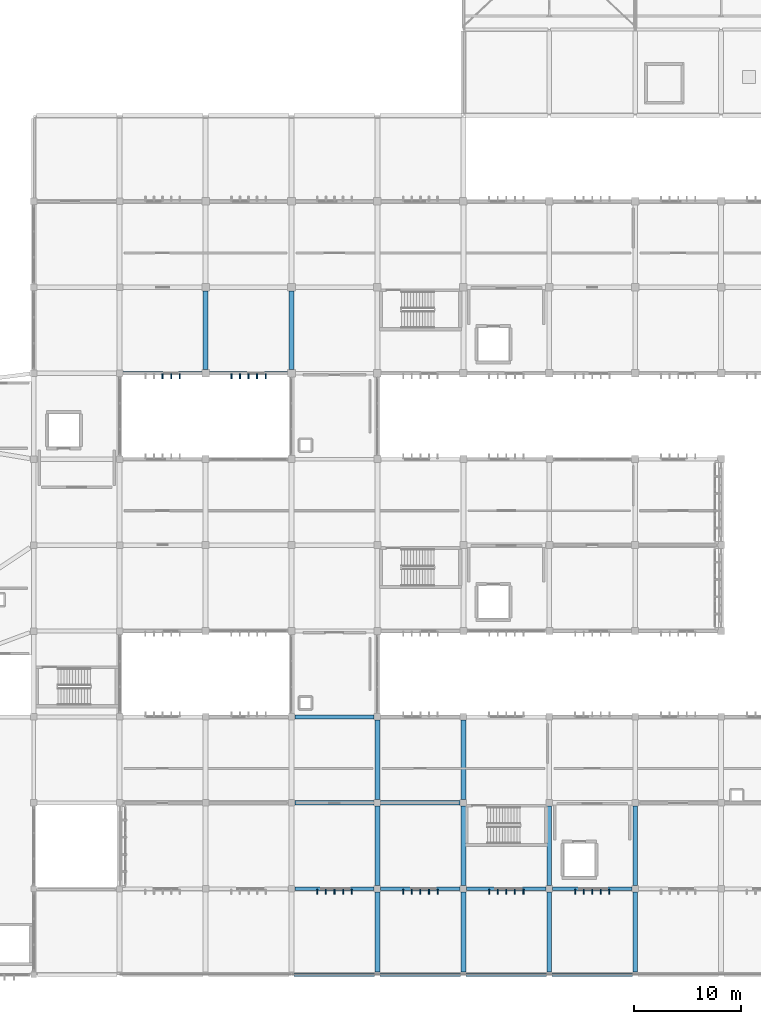
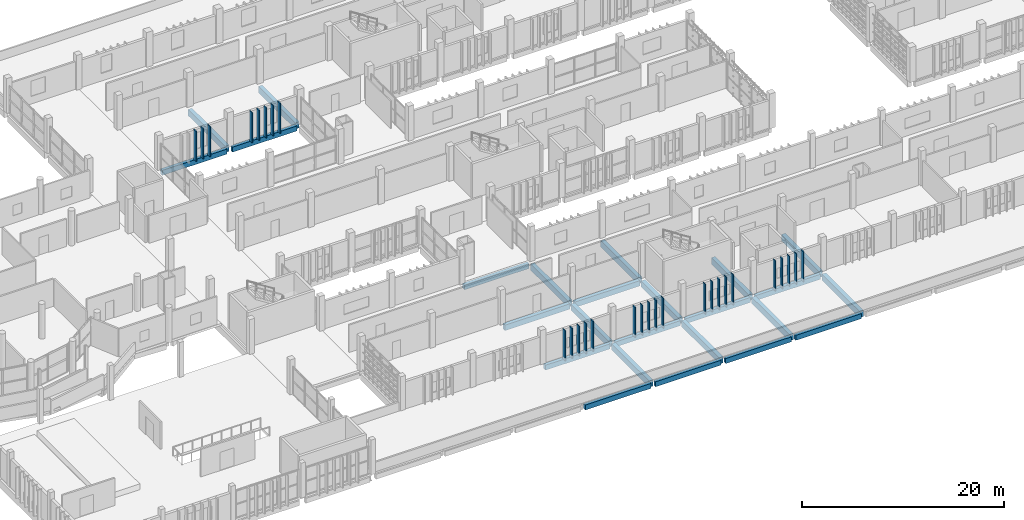
# One storey, part 22 of 137: 28 members, 25 beams.
"""IFC4 building model written with IfcOpenShell, lengths in metres."""

from ifc_helpers import new_model, si_unit, direction, frame, origin, origin_2d, place, context, subcontext, project, spatial, rectangle, extrude, material, material_profile, profile_set, type_object, element, save


model = new_model("IFC4")

# Units and contexts
model_context = context("Model", 3, precision=1e-05, world=origin(), true_north=direction((0.0, 1.0)))
body_context = subcontext(model_context, "Body", "Model", "MODEL_VIEW")
ifc_project = project(units=[si_unit("LENGTHUNIT", "METRE"), si_unit("AREAUNIT", "SQUARE_METRE"), si_unit("VOLUMEUNIT", "CUBIC_METRE"), si_unit("PLANEANGLEUNIT", "RADIAN"), si_unit("MASSUNIT", "GRAM", prefix="KILO")], contexts=[model_context])

# Site, building, storey
site_placement = place(None, origin())
site = spatial("IfcSite", under=ifc_project, at=site_placement, CompositionType="ELEMENT")
building_placement = place(site_placement, origin())
building = spatial("IfcBuilding", under=site, at=building_placement, Name="Jelvoka-Kovrelna Polytechnic", CompositionType="ELEMENT")
storey_placement = place(building_placement, frame((0.0, 0.0, 9.60009765625)))
storey = spatial("IfcBuildingStorey", under=building, at=storey_placement, Name="L03", CompositionType="ELEMENT", Elevation=9.60009765625)

# Beams
ifc_material_1 = material(Name="Concrete C40/50", Category="concrete")
ifc_material_profile_1 = material_profile(ifc_material_1, rectangle(XDim=0.39990234375, YDim=0.64990234375, at=origin_2d()), Name="RC 400x650")
ifc_profile_set_1 = profile_set([ifc_material_profile_1], Name="Concrete C40/50")
beam_type_1 = type_object("IfcBeamType", Name="Beam_RC_400x650", PredefinedType="BEAM", material=ifc_profile_set_1)
for number, where, z_axis, x_axis, name in (
    (1, (72.304931640625, 16.0, -0.590087890625), (1.0, 0.0, 0.0), (0.0, 1.0, 0.0), "L03 beam 0872"),
    (2, (80.304931640625, 16.0, -0.590087890625), (1.0, 0.0, 0.0), (0.0, 1.0, 0.0), "L03 beam 0873"),
):
    element("IfcBeam", number, at=place(storey_placement, frame(where, z_axis=z_axis, x_axis=x_axis)), inside=storey, type_object=beam_type_1, Name=name, PredefinedType="BEAM", context=body_context, shape_type="SweptSolid", body=[
        extrude(rectangle(XDim=0.39990234375, YDim=0.64990234375, at=origin_2d()), origin(), (0.0, 0.0, 1.0), 7.39013671875),
    ])
ifc_material_2 = material(Name="Concrete C40/50", Category="concrete")
ifc_material_profile_2 = material_profile(ifc_material_2, rectangle(XDim=0.449951171875, YDim=0.75, at=origin_2d()), Name="RC 450x750")
ifc_profile_set_2 = profile_set([ifc_material_profile_2], Name="Concrete C40/50")
beam_type_2 = type_object("IfcBeamType", Name="Beam_RC_450x750", PredefinedType="BEAM", material=ifc_profile_set_2)
for number, where, z_axis, x_axis, name in (
    (3, (80.0, 8.304931640625, -0.64013671875), (0.0, 1.0, 0.0), (-1.0, 0.0, 0.0), "L03 beam 0889"),
    (4, (80.0, 16.304931640625, -0.64013671875), (0.0, 1.0, 0.0), (-1.0, 0.0, 0.0), "L03 beam 0890"),
    (5, (88.0, 8.304931640625, -0.64013671875), (0.0, 1.0, 0.0), (-1.0, 0.0, 0.0), "L03 beam 0891"),
    (6, (88.0, 16.304931640625, -0.64013671875), (0.0, 1.0, 0.0), (-1.0, 0.0, 0.0), "L03 beam 0892"),
    (7, (96.0, 8.304931640625, -0.64013671875), (0.0, 1.0, 0.0), (-1.0, 0.0, 0.0), "L03 beam 0893"),
    (8, (104.0, 8.304931640625, -0.64013671875), (0.0, 1.0, 0.0), (-1.0, 0.0, 0.0), "L03 beam 0895"),
):
    element("IfcBeam", number, at=place(storey_placement, frame(where, z_axis=z_axis, x_axis=x_axis)), inside=storey, type_object=beam_type_2, Name=name, PredefinedType="BEAM", context=body_context, shape_type="SweptSolid", body=[
        extrude(rectangle(XDim=0.449951171875, YDim=0.75, at=origin_2d()), origin(), (0.0, 0.0, 1.0), 7.39013671875),
    ])
beam_1_placement = place(storey_placement, frame((64.0, 56.330078125, -0.64013671875), z_axis=(0.0, 1.0, 0.0), x_axis=(-1.0, 0.0, 0.0)))
element("IfcBeam", 9, at=beam_1_placement, inside=storey, type_object=beam_type_2, Name="L03 beam 1026", PredefinedType="BEAM", context=body_context, shape_type="SweptSolid", body=[
    extrude(rectangle(XDim=0.449951171875, YDim=0.75, at=origin_2d()), origin(), (0.0, 0.0, 1.0), 7.33984375),
])
beam_2_placement = place(storey_placement, frame((72.0, 56.35498046875, -0.64013671875), z_axis=(0.0, 1.0, 0.0), x_axis=(-1.0, 0.0, 0.0)))
element("IfcBeam", 10, at=beam_2_placement, inside=storey, type_object=beam_type_2, Name="L03 beam 1028", PredefinedType="BEAM", context=body_context, shape_type="SweptSolid", body=[
    extrude(rectangle(XDim=0.449951171875, YDim=0.75, at=origin_2d()), origin(), (0.0, 0.0, 1.0), 7.2900390625),
])
for number, where, z_axis, x_axis, name in (
    (11, (80.0, 0.2548828125, -0.565185546875), (0.0, 1.0, 0.0), (-1.0, 0.0, 0.0), "L03 beam 2051"),
    (12, (88.0, 0.2548828125, -0.565185546875), (0.0, 1.0, 0.0), (-1.0, 0.0, 0.0), "L03 beam 2052"),
    (13, (96.0, 0.2548828125, -0.565185546875), (0.0, 1.0, 0.0), (-1.0, 0.0, 0.0), "L03 beam 2053"),
    (14, (104.0, 0.2548828125, -0.565185546875), (0.0, 1.0, 0.0), (-1.0, 0.0, 0.0), "L03 beam 2054"),
):
    element("IfcBeam", number, at=place(storey_placement, frame(where, z_axis=z_axis, x_axis=x_axis)), inside=storey, type_object=beam_type_2, Name=name, PredefinedType="BEAM", context=body_context, shape_type="SweptSolid", body=[
        extrude(rectangle(XDim=0.449951171875, YDim=0.75, at=origin_2d()), origin(), (0.0, 0.0, 1.0), 7.440185546875),
    ])

# Members
ifc_material_3 = material(Name="Precast concrete C40/50", Category="concrete")
ifc_material_profile_3 = material_profile(ifc_material_3, rectangle(XDim=0.10009765625, YDim=0.449951171875, at=origin_2d()), Name="PC 100x450")
ifc_profile_set_3 = profile_set([ifc_material_profile_3], Name="Precast concrete C40/50")
member_type_1 = type_object("IfcMemberType", Name="Louvre_Fin_100x450", PredefinedType="USERDEFINED", material=ifc_profile_set_3)
for number, where, z_axis, x_axis, name in (
    (15, (74.39990234375, 7.735107421875, -0.27001953125), (0.0, 0.0, 1.0), (1.0, 0.0, 0.0), "L03 B1 south vertical solar louvre fin 0236"),
    (16, (75.199951171875, 7.735107421875, -0.27001953125), (0.0, 0.0, 1.0), (1.0, 0.0, 0.0), "L03 B1 south vertical solar louvre fin 0237"),
    (17, (76.0, 7.735107421875, -0.27001953125), (0.0, 0.0, 1.0), (1.0, 0.0, 0.0), "L03 B1 south vertical solar louvre fin 0238"),
    (18, (76.800048828125, 7.735107421875, -0.27001953125), (0.0, 0.0, 1.0), (1.0, 0.0, 0.0), "L03 B1 south vertical solar louvre fin 0239"),
    (19, (77.60009765625, 7.735107421875, -0.27001953125), (0.0, 0.0, 1.0), (1.0, 0.0, 0.0), "L03 B1 south vertical solar louvre fin 0240"),
    (20, (82.39990234375, 7.735107421875, -0.27001953125), (0.0, 0.0, 1.0), (1.0, 0.0, 0.0), "L03 B1 south vertical solar louvre fin 0241"),
    (21, (83.199951171875, 7.735107421875, -0.27001953125), (0.0, 0.0, 1.0), (1.0, 0.0, 0.0), "L03 B1 south vertical solar louvre fin 0242"),
    (22, (84.0, 7.735107421875, -0.27001953125), (0.0, 0.0, 1.0), (1.0, 0.0, 0.0), "L03 B1 south vertical solar louvre fin 0243"),
    (23, (84.800048828125, 7.735107421875, -0.27001953125), (0.0, 0.0, 1.0), (1.0, 0.0, 0.0), "L03 B1 south vertical solar louvre fin 0244"),
    (24, (85.60009765625, 7.735107421875, -0.27001953125), (0.0, 0.0, 1.0), (1.0, 0.0, 0.0), "L03 B1 south vertical solar louvre fin 0245"),
    (25, (90.39990234375, 7.735107421875, -0.27001953125), (0.0, 0.0, 1.0), (1.0, 0.0, 0.0), "L03 B1 south vertical solar louvre fin 0251"),
    (26, (91.199951171875, 7.735107421875, -0.27001953125), (0.0, 0.0, 1.0), (1.0, 0.0, 0.0), "L03 B1 south vertical solar louvre fin 0252"),
    (27, (92.0, 7.735107421875, -0.27001953125), (0.0, 0.0, 1.0), (1.0, 0.0, 0.0), "L03 B1 south vertical solar louvre fin 0253"),
    (28, (92.800048828125, 7.735107421875, -0.27001953125), (0.0, 0.0, 1.0), (1.0, 0.0, 0.0), "L03 B1 south vertical solar louvre fin 0254"),
    (29, (93.60009765625, 7.735107421875, -0.27001953125), (0.0, 0.0, 1.0), (1.0, 0.0, 0.0), "L03 B1 south vertical solar louvre fin 0255"),
    (30, (98.39990234375, 7.735107421875, -0.27001953125), (0.0, 0.0, 1.0), (1.0, 0.0, 0.0), "L03 B1 south vertical solar louvre fin 0261"),
    (31, (99.199951171875, 7.735107421875, -0.27001953125), (0.0, 0.0, 1.0), (1.0, 0.0, 0.0), "L03 B1 south vertical solar louvre fin 0262"),
    (32, (100.0, 7.735107421875, -0.27001953125), (0.0, 0.0, 1.0), (1.0, 0.0, 0.0), "L03 B1 south vertical solar louvre fin 0263"),
    (33, (100.800048828125, 7.735107421875, -0.27001953125), (0.0, 0.0, 1.0), (1.0, 0.0, 0.0), "L03 B1 south vertical solar louvre fin 0264"),
    (34, (101.60009765625, 7.735107421875, -0.27001953125), (0.0, 0.0, 1.0), (1.0, 0.0, 0.0), "L03 B1 south vertical solar louvre fin 0265"),
):
    element("IfcMember", number, at=place(storey_placement, frame(where, z_axis=z_axis, x_axis=x_axis)), inside=storey, type_object=member_type_1, Name=name, ObjectType="SUNSHADE", PredefinedType="USERDEFINED", context=body_context, shape_type="SweptSolid", body=[
        extrude(rectangle(XDim=0.10009765625, YDim=0.449951171875, at=origin_2d()), origin(), (0.0, 0.0, 1.0), 3.64501953125),
    ])
ifc_material_4 = material(Name="Precast concrete C40/50", Category="concrete")
ifc_material_profile_4 = material_profile(ifc_material_4, rectangle(XDim=0.1201171875, YDim=0.449951171875, at=origin_2d()), Name="PC 120x450")
ifc_profile_set_4 = profile_set([ifc_material_profile_4], Name="Precast concrete C40/50")
member_type_2 = type_object("IfcMemberType", Name="Louvre_Fin_120x450", PredefinedType="USERDEFINED", material=ifc_profile_set_4)
for number, where, z_axis, x_axis, name in (
    (35, (60.0, 55.735107421875, -0.27001953125), (0.0, 0.0, 1.0), (1.0, 0.0, 0.0), "L03 B3 south vertical solar louvre fin 1463"),
    (36, (60.800048828125, 55.735107421875, -0.27001953125), (0.0, 0.0, 1.0), (1.0, 0.0, 0.0), "L03 B3 south vertical solar louvre fin 1464"),
    (37, (61.60009765625, 55.735107421875, -0.27001953125), (0.0, 0.0, 1.0), (1.0, 0.0, 0.0), "L03 B3 south vertical solar louvre fin 1465"),
    (38, (66.39990234375, 55.735107421875, -0.27001953125), (0.0, 0.0, 1.0), (1.0, 0.0, 0.0), "L03 B3 south vertical solar louvre fin 1471"),
    (39, (67.199951171875, 55.735107421875, -0.27001953125), (0.0, 0.0, 1.0), (1.0, 0.0, 0.0), "L03 B3 south vertical solar louvre fin 1472"),
    (40, (68.0, 55.735107421875, -0.27001953125), (0.0, 0.0, 1.0), (1.0, 0.0, 0.0), "L03 B3 south vertical solar louvre fin 1473"),
    (41, (68.800048828125, 55.735107421875, -0.27001953125), (0.0, 0.0, 1.0), (1.0, 0.0, 0.0), "L03 B3 south vertical solar louvre fin 1474"),
    (42, (69.60009765625, 55.735107421875, -0.27001953125), (0.0, 0.0, 1.0), (1.0, 0.0, 0.0), "L03 B3 south vertical solar louvre fin 1475"),
):
    element("IfcMember", number, at=place(storey_placement, frame(where, z_axis=z_axis, x_axis=x_axis)), inside=storey, type_object=member_type_2, Name=name, ObjectType="SUNSHADE", PredefinedType="USERDEFINED", context=body_context, shape_type="SweptSolid", body=[
        extrude(rectangle(XDim=0.1201171875, YDim=0.449951171875, at=origin_2d()), origin(), (0.0, 0.0, 1.0), 3.64501953125),
    ])

# Beams
ifc_material_5 = material(Name="Concrete C40/50", Category="concrete")
ifc_material_profile_5 = material_profile(ifc_material_5, rectangle(XDim=0.35009765625, YDim=0.60009765625, at=origin_2d()), Name="RC 350x600")
ifc_profile_set_5 = profile_set([ifc_material_profile_5], Name="Concrete C40/50")
beam_type_3 = type_object("IfcBeamType", Name="Spandrel_RC_350x600", PredefinedType="SPANDREL", material=ifc_profile_set_5)
for number, where, z_axis, x_axis, name in (
    (43, (72.304931640625, 8.0, -0.565185546875), (1.0, 0.0, 0.0), (0.0, 1.0, 0.0), "L03 beam 0865"),
    (44, (80.304931640625, 8.0, -0.565185546875), (1.0, 0.0, 0.0), (0.0, 1.0, 0.0), "L03 beam 0866"),
    (45, (88.304931640625, 8.0, -0.565185546875), (1.0, 0.0, 0.0), (0.0, 1.0, 0.0), "L03 beam 0867"),
    (46, (96.304931640625, 8.0, -0.565185546875), (1.0, 0.0, 0.0), (0.0, 1.0, 0.0), "L03 beam 0868"),
    (47, (72.304931640625, 24.0, -0.565185546875), (1.0, 0.0, 0.0), (0.0, 1.0, 0.0), "L03 beam 0878"),
):
    element("IfcBeam", number, at=place(storey_placement, frame(where, z_axis=z_axis, x_axis=x_axis)), inside=storey, type_object=beam_type_3, Name=name, PredefinedType="SPANDREL", context=body_context, shape_type="SweptSolid", body=[
        extrude(rectangle(XDim=0.35009765625, YDim=0.60009765625, at=origin_2d()), origin(), (0.0, 0.0, 1.0), 7.39013671875),
    ])
beam_3_placement = place(storey_placement, frame((56.304931640625, 56.0, -0.565185546875), z_axis=(1.0, 0.0, 0.0), x_axis=(0.0, 1.0, 0.0)))
element("IfcBeam", 48, at=beam_3_placement, inside=storey, type_object=beam_type_3, Name="L03 beam 1004", PredefinedType="SPANDREL", context=body_context, shape_type="SweptSolid", body=[
    extrude(rectangle(XDim=0.35009765625, YDim=0.60009765625, at=origin_2d()), origin(), (0.0, 0.0, 1.0), 7.364990234375),
])
beam_4_placement = place(storey_placement, frame((64.330078125, 56.0, -0.565185546875), z_axis=(1.0, 0.0, 0.0), x_axis=(0.0, 1.0, 0.0)))
element("IfcBeam", 49, at=beam_4_placement, inside=storey, type_object=beam_type_3, Name="L03 beam 1005", PredefinedType="SPANDREL", context=body_context, shape_type="SweptSolid", body=[
    extrude(rectangle(XDim=0.35009765625, YDim=0.60009765625, at=origin_2d()), origin(), (0.0, 0.0, 1.0), 7.31494140625),
])
for number, where, z_axis, x_axis, name in (
    (50, (72.2548828125, 0.0, -0.489990234375), (1.0, 0.0, 0.0), (0.0, 1.0, 0.0), "L03 beam 2036"),
    (51, (80.2548828125, 0.0, -0.489990234375), (1.0, 0.0, 0.0), (0.0, 1.0, 0.0), "L03 beam 2037"),
    (52, (88.2548828125, 0.0, -0.489990234375), (1.0, 0.0, 0.0), (0.0, 1.0, 0.0), "L03 beam 2038"),
    (53, (96.2548828125, 0.0, -0.489990234375), (1.0, 0.0, 0.0), (0.0, 1.0, 0.0), "L03 beam 2039"),
):
    element("IfcBeam", number, at=place(storey_placement, frame(where, z_axis=z_axis, x_axis=x_axis)), inside=storey, type_object=beam_type_3, Name=name, PredefinedType="SPANDREL", context=body_context, shape_type="SweptSolid", body=[
        extrude(rectangle(XDim=0.35009765625, YDim=0.60009765625, at=origin_2d()), origin(), (0.0, 0.0, 1.0), 7.490234375),
    ])

save(model, "model.ifc")
